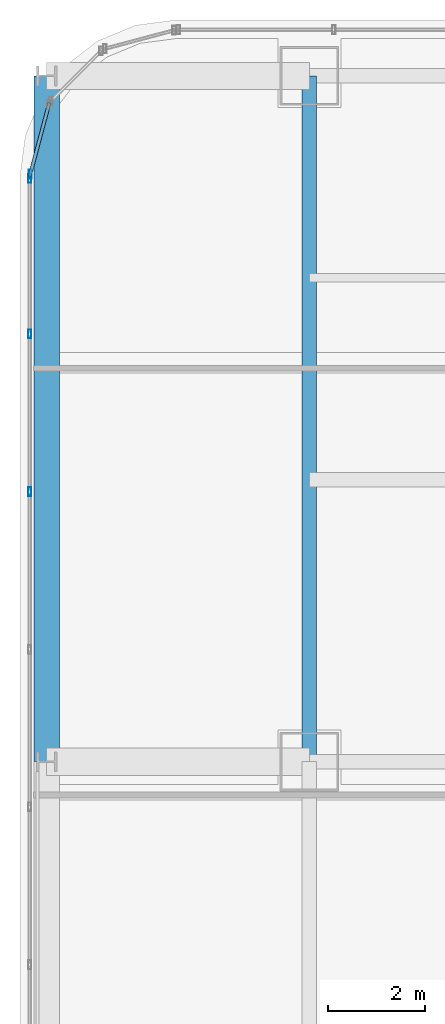
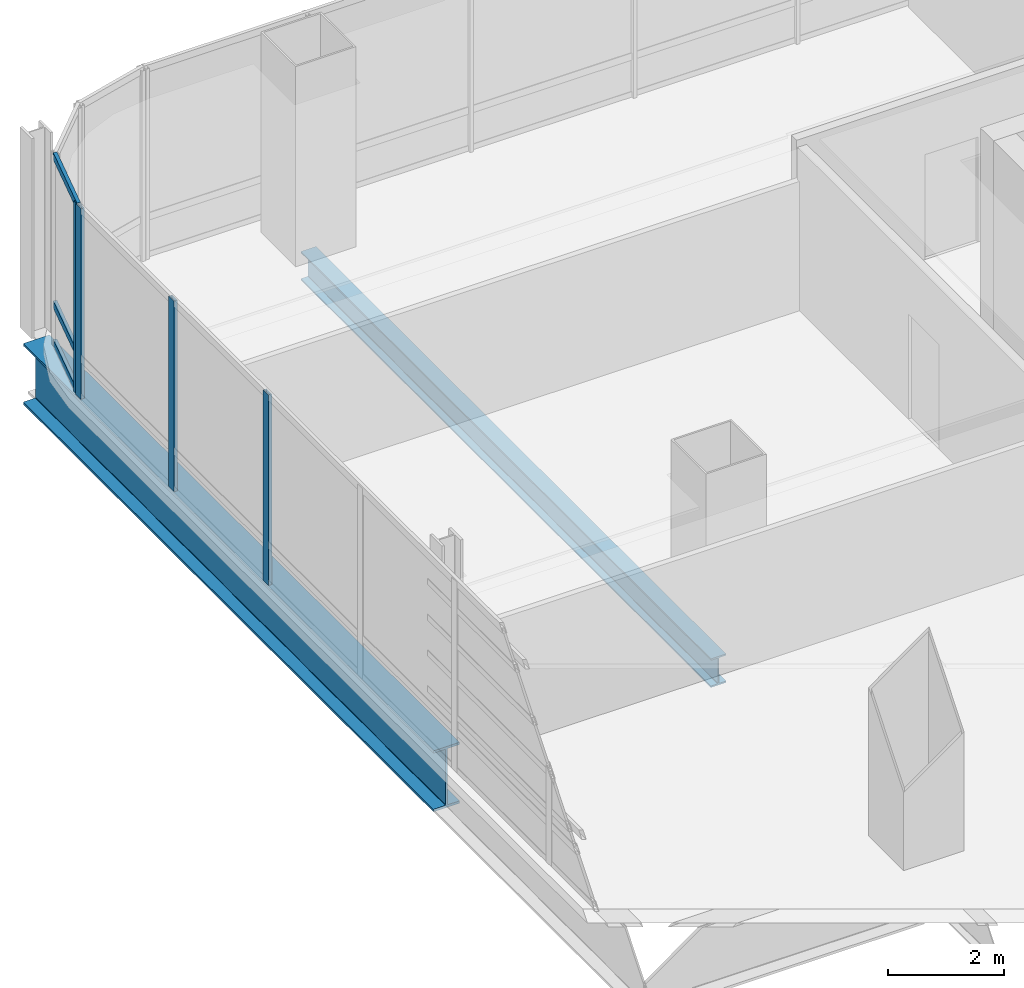
# One storey, part 23 of 43: 7 members, 2 beams, 2 elements without a shape of their own.
"""IFC4 building model written with IfcOpenShell, lengths in metres."""

from ifc_helpers import new_model, si_unit, direction, frame, origin, origin_2d, place, context, subcontext, project, spatial, hollow_rectangle, i_section, extrude, material, material_profile, profile_set, type_object, element, aggregate, save


model = new_model("IFC4")

# Units and contexts
model_context = context("Model", 3, precision=1e-05, world=origin(), true_north=direction((0.0, 1.0)))
body_context = subcontext(model_context, "Body", "Model", "MODEL_VIEW")
ifc_project = project(units=[si_unit("LENGTHUNIT", "METRE"), si_unit("AREAUNIT", "SQUARE_METRE"), si_unit("VOLUMEUNIT", "CUBIC_METRE"), si_unit("PLANEANGLEUNIT", "RADIAN"), si_unit("MASSUNIT", "GRAM", prefix="KILO")], contexts=[model_context])

# Site, building, storey
site_placement = place(None, origin())
site = spatial("IfcSite", under=ifc_project, at=site_placement, CompositionType="ELEMENT")
building_placement = place(site_placement, origin())
building = spatial("IfcBuilding", under=site, at=building_placement, Name="Punatoya Terracotta Tower", CompositionType="ELEMENT")
storey_placement = place(building_placement, frame((0.0, 0.0, 321.60009765625)))
storey = spatial("IfcBuildingStorey", under=building, at=storey_placement, Name="L76", CompositionType="ELEMENT", Elevation=321.60009765625)

# Beams
ifc_material_1 = material(Name="Steel S355", Category="steel")
ifc_material_profile_1 = material_profile(ifc_material_1, i_section(OverallWidth=0.300048828125, OverallDepth=0.60009765625, WebThickness=0.015380859375, FlangeThickness=0.030029296875, FilletRadius=0.01806640625, at=origin_2d()))
ifc_profile_set_1 = profile_set([ifc_material_profile_1], Name="Steel S355")
beam_type_1 = type_object("IfcBeamType", Name="BM-PRI-600", PredefinedType="BEAM", material=ifc_profile_set_1)
beam_1_placement = place(storey_placement, frame((-19.10009765625, 3.39990234375, -0.5), z_axis=(0.0, 1.0, 0.0), x_axis=(-1.0, 0.0, 0.0)))
element("IfcBeam", 1, at=beam_1_placement, inside=storey, type_object=beam_type_1, Name="BM-L76-RG-W3", PredefinedType="BEAM", context=body_context, shape_type="SweptSolid", body=[
    extrude(i_section(OverallWidth=0.300048828125, OverallDepth=0.60009765625, WebThickness=0.015380859375, FlangeThickness=0.030029296875, FilletRadius=0.01806640625, at=origin_2d()), origin(), (0.0, 0.0, 1.0), 14.10009765625),
])
ifc_material_2 = material(Name="Steel S460", Category="steel")
ifc_material_profile_2 = material_profile(ifc_material_2, i_section(OverallWidth=0.52001953125, OverallDepth=1.280029296875, WebThickness=0.031982421875, FlangeThickness=0.050048828125, FilletRadius=0.01806640625, at=origin_2d()))
ifc_profile_set_2 = profile_set([ifc_material_profile_2], Name="Steel S460")
beam_type_2 = type_object("IfcBeamType", Name="BM-TG-NCK", PredefinedType="BEAM", material=ifc_profile_set_2)
beam_2_placement = place(storey_placement, frame((-24.5, 3.39990234375, -0.840087890625), z_axis=(0.0, 1.0, 0.0), x_axis=(-1.0, 0.0, 0.0)))
element("IfcBeam", 2, at=beam_2_placement, inside=storey, type_object=beam_type_2, Name="BM-L76-PER-W3", PredefinedType="BEAM", context=body_context, shape_type="SweptSolid", body=[
    extrude(i_section(OverallWidth=0.52001953125, OverallDepth=1.280029296875, WebThickness=0.031982421875, FlangeThickness=0.050048828125, FilletRadius=0.01806640625, at=origin_2d()), origin(), (0.0, 0.0, 1.0), 14.10009765625),
])

# Curtain wall, member
ifc_material_3 = material(Name="Aluminium 6063-T6 + Double Low-E Glass", Category="aluminium")
curtain_wall_type = type_object("IfcCurtainWallType", Name="CW-OBS", PredefinedType="NOTDEFINED", material=ifc_material_3)
curtain_wall_1_placement = place(storey_placement, origin())
curtain_wall_1 = element("IfcCurtainWall", 3, at=curtain_wall_1_placement, inside=storey, type_object=curtain_wall_type, Name="L76 Curtain Wall CW-L76-CRN12", PredefinedType="NOTDEFINED")
ifc_material_4 = material(Name="Aluminium 6063-T6", Category="aluminium")
ifc_material_profile_3 = material_profile(ifc_material_4, hollow_rectangle(XDim=0.070068359375, YDim=0.179931640625, WallThickness=0.00390625, at=origin_2d()))
ifc_profile_set_3 = profile_set([ifc_material_profile_3], Name="Aluminium 6063-T6")
member_type_1 = type_object("IfcMemberType", Name="CW-MUL-M3", PredefinedType="MULLION", material=ifc_profile_set_3)
member_1_placement = place(storey_placement, frame((-24.83837890625, 15.48046875, 0.0), z_axis=(0.0, 0.0, 1.0), x_axis=(1.0, 0.0, 0.0)))
member_1 = element("IfcMember", 4, at=member_1_placement, type_object=member_type_1, Name="CW-L76-CRN12 Mullion 01", PredefinedType="MULLION", context=body_context, shape_type="SweptSolid", body=[
    extrude(hollow_rectangle(XDim=0.070068359375, YDim=0.179931640625, WallThickness=0.00390625, at=origin_2d()), origin(), (0.0, 0.0, 1.0), 4.0),
])

# Curtain wall, members
curtain_wall_2_placement = place(storey_placement, origin())
curtain_wall_2 = element("IfcCurtainWall", 5, at=curtain_wall_2_placement, inside=storey, type_object=curtain_wall_type, Name="L76 Curtain Wall CW-L76-W13-1", PredefinedType="NOTDEFINED")
member_2_placement = place(storey_placement, frame((-24.85009765625, 15.391845703125, 0.0), z_axis=(0.0, 0.0, 1.0), x_axis=(1.0, 0.0, 0.0)))
member_2 = element("IfcMember", 6, at=member_2_placement, type_object=member_type_1, Name="CW-L76-W13-1 Mullion 00", PredefinedType="MULLION", context=body_context, shape_type="SweptSolid", body=[
    extrude(hollow_rectangle(XDim=0.070068359375, YDim=0.179931640625, WallThickness=0.00390625, at=origin_2d()), origin(), (0.0, 0.0, 1.0), 4.0),
])
member_3_placement = place(storey_placement, frame((-24.85009765625, 12.19384765625, 0.0), z_axis=(0.0, 0.0, 1.0), x_axis=(1.0, 0.0, 0.0)))
member_3 = element("IfcMember", 7, at=member_3_placement, type_object=member_type_1, Name="CW-L76-W13-1 Mullion 01", PredefinedType="MULLION", context=body_context, shape_type="SweptSolid", body=[
    extrude(hollow_rectangle(XDim=0.070068359375, YDim=0.179931640625, WallThickness=0.00390625, at=origin_2d()), origin(), (0.0, 0.0, 1.0), 4.0),
])
member_4_placement = place(storey_placement, frame((-24.85009765625, 8.95068359375, 0.0), z_axis=(0.0, 0.0, 1.0), x_axis=(1.0, 0.0, 0.0)))
member_4 = element("IfcMember", 8, at=member_4_placement, type_object=member_type_1, Name="CW-L76-W13-1 Mullion 02", PredefinedType="MULLION", context=body_context, shape_type="SweptSolid", body=[
    extrude(hollow_rectangle(XDim=0.070068359375, YDim=0.179931640625, WallThickness=0.00390625, at=origin_2d()), origin(), (0.0, 0.0, 1.0), 4.0),
])
aggregate(curtain_wall_2, [member_2, member_3, member_4])

# Member
ifc_material_profile_4 = material_profile(ifc_material_4, hollow_rectangle(XDim=0.068115234375, YDim=0.14990234375, WallThickness=0.00390625, at=origin_2d()))
ifc_profile_set_4 = profile_set([ifc_material_profile_4], Name="Aluminium 6063-T6")
member_type_2 = type_object("IfcMemberType", Name="CW-TRN-TYP", PredefinedType="USERDEFINED", material=ifc_profile_set_4)
member_5_placement = place(storey_placement, frame((-24.446533203125, 16.94921875, 0.039794921875), z_axis=(-0.257847112249, -0.966185730957, 0.0), x_axis=(0.966185730957, -0.257847112249, 0.0)))
member_5 = element("IfcMember", 9, at=member_5_placement, type_object=member_type_2, Name="CW-L76-CRN12 Transom 1", ObjectType="TRANSOM", PredefinedType="USERDEFINED", context=body_context, shape_type="SweptSolid", body=[
    extrude(hollow_rectangle(XDim=0.068115234375, YDim=0.14990234375, WallThickness=0.00390625, at=origin_2d()), origin(), (0.0, 0.0, 1.0), 1.565185546875),
])

member_6_placement = place(storey_placement, frame((-24.446533203125, 16.94921875, 0.849853515625), z_axis=(-0.257847112249, -0.966185730957, 0.0), x_axis=(0.966185730957, -0.257847112249, 0.0)))
member_6 = element("IfcMember", 10, at=member_6_placement, type_object=member_type_2, Name="CW-L76-CRN12 Transom 2", ObjectType="TRANSOM", PredefinedType="USERDEFINED", context=body_context, shape_type="SweptSolid", body=[
    extrude(hollow_rectangle(XDim=0.068115234375, YDim=0.14990234375, WallThickness=0.00390625, at=origin_2d()), origin(), (0.0, 0.0, 1.0), 1.565185546875),
])

member_7_placement = place(storey_placement, frame((-24.446533203125, 16.94921875, 3.9599609375), z_axis=(-0.257847112249, -0.966185730957, 0.0), x_axis=(0.966185730957, -0.257847112249, 0.0)))
member_7 = element("IfcMember", 11, at=member_7_placement, type_object=member_type_2, Name="CW-L76-CRN12 Transom 3", ObjectType="TRANSOM", PredefinedType="USERDEFINED", context=body_context, shape_type="SweptSolid", body=[
    extrude(hollow_rectangle(XDim=0.068115234375, YDim=0.14990234375, WallThickness=0.00390625, at=origin_2d()), origin(), (0.0, 0.0, 1.0), 1.565185546875),
])

aggregate(curtain_wall_1, [member_1, member_5, member_6, member_7])

save(model, "model.ifc")
